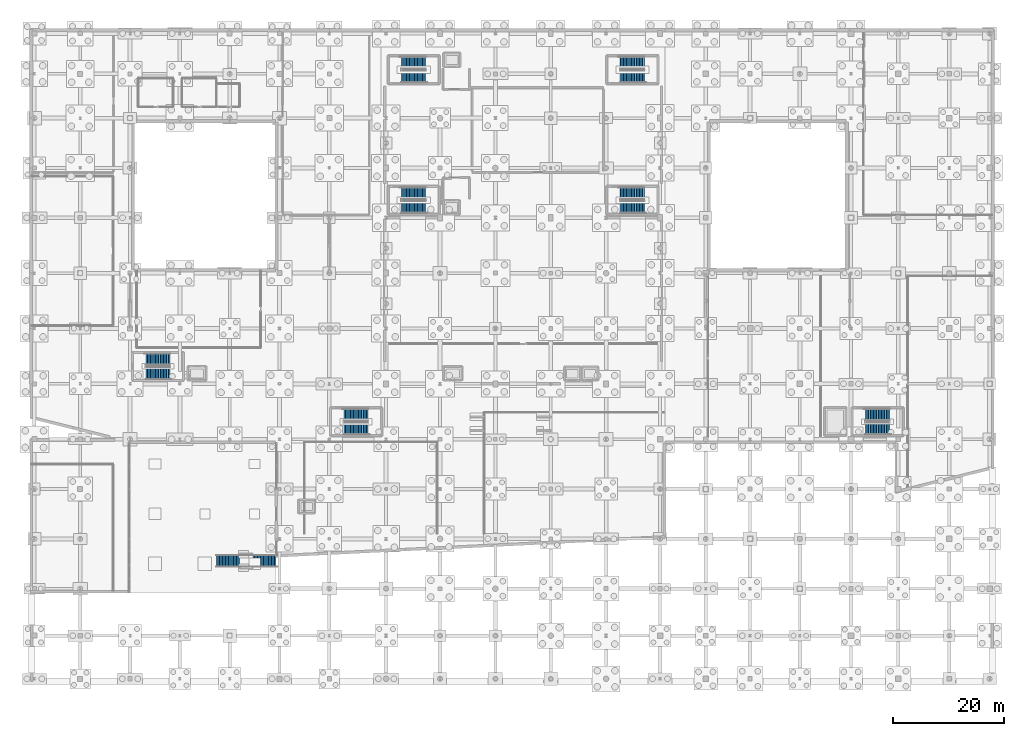
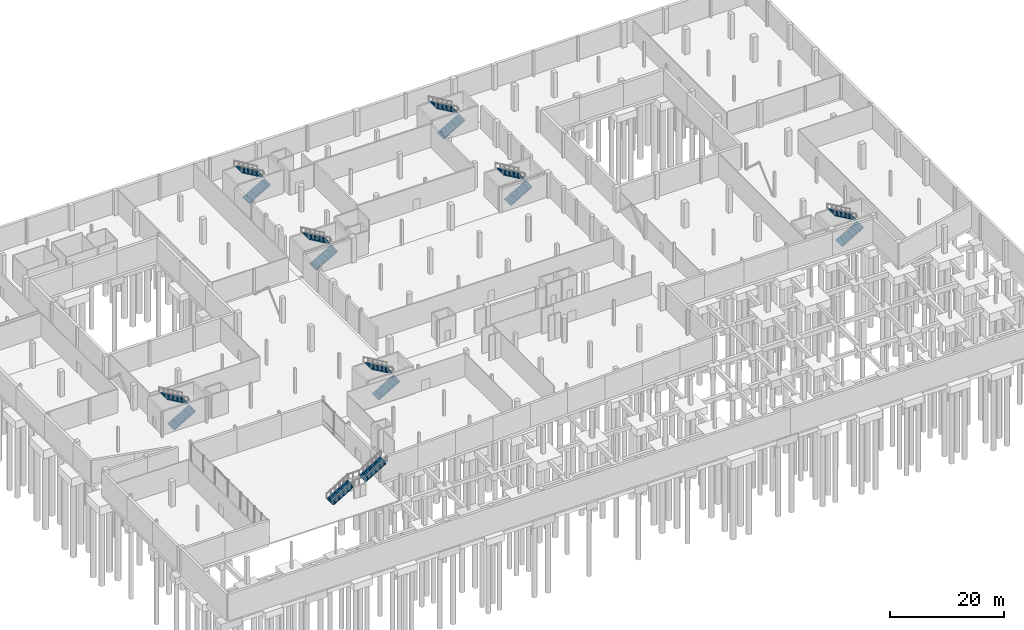
# One storey, part 51 of 60: 16 stair flights, 8 elements without a shape of their own.
"""IFC4 building model written with IfcOpenShell, lengths in metres."""

import ifcopenshell
import ifcopenshell.guid

model = None  # the IFC model being written
_history = None  # IfcOwnerHistory: only IFC2X3 demands one
_inside = {}  # id of a spatial element -> (the spatial element, [elements in it])
_under = {}  # id of a project, library or spatial element -> (it, [spatial elements below it])
_declared = {}  # id of a project -> (the project, [libraries it declares])
_typed = {}  # id of a type object -> (the type object, [elements of that type])
_made_of = {}  # id of a material, layer set ... -> (it, [elements and type objects made of it])


def new_model(schema):
    """Start an empty IFC model of exactly this schema.

    Asked for "IFC4X3", IfcOpenShell would pick the latest addendum, in which some entities
    have other attributes; the version numbers below select the first issue.
    IFC2X3 requires an IfcOwnerHistory on every rooted entity: one is made here for all.
    """
    global model, _history
    if schema == "IFC4X3":
        model = ifcopenshell.file(schema_version=(4, 3, 0, 0))
    else:
        model = ifcopenshell.file(schema=schema)
    _inside.clear()
    _under.clear()
    _declared.clear()
    _typed.clear()
    _made_of.clear()
    _history = None
    if model.schema == "IFC2X3":
        org = make("IfcOrganization", Name="unknown")
        user = make(
            "IfcPersonAndOrganization",
            ThePerson=make("IfcPerson", FamilyName="unknown"),
            TheOrganization=org,
        )
        app = make(
            "IfcApplication",
            ApplicationDeveloper=org,
            Version="unknown",
            ApplicationFullName="unknown",
            ApplicationIdentifier="unknown",
        )
        _history = make(
            "IfcOwnerHistory",
            OwningUser=user,
            OwningApplication=app,
            ChangeAction="ADDED",
            CreationDate=0,
        )
    return model


def make(cls, **values):
    """One entity of the class cls with the attributes given. An attribute that is None is left unset."""
    return model.create_entity(
        cls, **{name: value for name, value in values.items() if value is not None}
    )


def rooted(cls, **values):
    """An entity with a GlobalId (a new one), such as an element, a storey or a relation."""
    return make(cls, GlobalId=ifcopenshell.guid.new(), OwnerHistory=_history, **values)


def si_unit(unit_type, name, prefix=None):
    """IfcSIUnit, for example si_unit("LENGTHUNIT", "METRE", prefix="MILLI")."""
    return make("IfcSIUnit", UnitType=unit_type, Prefix=prefix, Name=name)


def assignment(units):
    """IfcUnitAssignment: the units of a project."""
    return None if units is None else make("IfcUnitAssignment", Units=units)


def point(xyz):
    """IfcCartesianPoint."""
    return None if xyz is None else make("IfcCartesianPoint", Coordinates=xyz)


def direction(xyz):
    """IfcDirection."""
    return None if xyz is None else make("IfcDirection", DirectionRatios=xyz)


def frame(location, z_axis=None, x_axis=None):
    """IfcAxis2Placement3D, a coordinate frame: its origin and axes. An axis left out is left unset."""
    return make(
        "IfcAxis2Placement3D",
        Location=point(location),
        Axis=direction(z_axis),
        RefDirection=direction(x_axis),
    )


def origin():
    """The frame at (0, 0, 0) with its axes left unset."""
    return frame((0.0, 0.0, 0.0))


def place(relative_to, where):
    """IfcLocalPlacement: puts the frame where relative to a parent placement (None: the world)."""
    return make(
        "IfcLocalPlacement", PlacementRelTo=relative_to, RelativePlacement=where
    )


def context(
    kind, dimensions, precision=None, world=None, true_north=None, identifier=None
):
    """IfcGeometricRepresentationContext, for example the 3D "Model" context."""
    return make(
        "IfcGeometricRepresentationContext",
        ContextIdentifier=identifier,
        ContextType=kind,
        CoordinateSpaceDimension=dimensions,
        Precision=precision,
        WorldCoordinateSystem=world,
        TrueNorth=true_north,
    )


def subcontext(parent, identifier, kind, view, scale=None):
    """IfcGeometricRepresentationSubContext, for example "Body" below "Model"."""
    return make(
        "IfcGeometricRepresentationSubContext",
        ContextIdentifier=identifier,
        ContextType=kind,
        ParentContext=parent,
        TargetScale=scale,
        TargetView=view,
    )


def project(units=None, contexts=None):
    """IfcProject with its units and contexts."""
    return rooted(
        "IfcProject",
        Name="project",
        RepresentationContexts=contexts,
        UnitsInContext=assignment(units),
    )


def spatial(cls, under=None, at=None, **own):
    """A site, building, storey or space (cls), placed at a placement, below another one or the project."""
    s = rooted(cls, ObjectPlacement=at, **own)
    if under is not None:
        _under.setdefault(under.id(), (under, []))[1].append(s)
    return s


def polyline(points):
    """IfcPolyline through the points."""
    return make("IfcPolyline", Points=[point(p) for p in points])


def outline(outer, holes=None, kind="AREA"):
    """IfcArbitraryClosedProfileDef: a profile drawn as a closed curve; with holes, ...WithVoids."""
    if holes is None:
        return make("IfcArbitraryClosedProfileDef", ProfileType=kind, OuterCurve=outer)
    return make(
        "IfcArbitraryProfileDefWithVoids",
        ProfileType=kind,
        OuterCurve=outer,
        InnerCurves=holes,
    )


def extrude(swept, where, along, depth):
    """IfcExtrudedAreaSolid: the profile swept, set in the frame where, extruded along a direction by depth."""
    return make(
        "IfcExtrudedAreaSolid",
        SweptArea=swept,
        Position=where,
        ExtrudedDirection=direction(along),
        Depth=depth,
    )


def shape(context_of_items, identifier, shape_type, items):
    """IfcShapeRepresentation: the items that make up one representation, for example the "Body"."""
    return make(
        "IfcShapeRepresentation",
        ContextOfItems=context_of_items,
        RepresentationIdentifier=identifier,
        RepresentationType=shape_type,
        Items=items,
    )


def material(Name=None, Category=None):
    """IfcMaterial."""
    return make("IfcMaterial", Name=Name, Category=Category)


def made_of(thing, what):
    """Note that an element or type object is made of a material, layer set ...; save() writes the relation."""
    if what is not None:
        _made_of.setdefault(what.id(), (what, []))[1].append(thing)
    return thing


def type_object(cls, material=None, **own):
    """A type object (cls), such as IfcWallType, which elements share."""
    return made_of(rooted(cls, **own), material)


def element(
    cls,
    number,
    at=None,
    inside=None,
    cuts=None,
    type_object=None,
    material=None,
    context=None,
    identifier="Body",
    shape_type=None,
    held_by="IfcProductDefinitionShape",
    body=None,
    shapes=None,
    **own,
):
    """One element of the class cls, such as IfcWall. Its Tag is "e" and its number.

    at: its placement. inside: the storey or other place that contains it. cuts: it is an
    opening in that element (IfcRelVoidsElement). A single representation is given by context,
    identifier, shape_type and body (its items); several are given by shapes. held_by: the class
    of the entity that holds the representations. save() writes the other relations.
    """
    e = rooted(cls, Tag="e%d" % number, ObjectPlacement=at, **own)
    if body is not None:
        shapes = [shape(context, identifier, shape_type, body)]
    if shapes is not None:
        e.Representation = make(held_by, Representations=shapes)
    if inside is not None:
        _inside.setdefault(inside.id(), (inside, []))[1].append(e)
    if cuts is not None:
        rooted(
            "IfcRelVoidsElement", RelatingBuildingElement=cuts, RelatedOpeningElement=e
        )
    if type_object is not None:
        _typed.setdefault(type_object.id(), (type_object, []))[1].append(e)
    return made_of(e, material)


def aggregate(whole, parts):
    """IfcRelAggregates: a whole, such as a stair, and the parts it consists of."""
    return rooted("IfcRelAggregates", RelatingObject=whole, RelatedObjects=parts)


def save(model, path):
    """Write the relations noted so far, then the file.

    IfcRelAggregates (storeys below a building ...), IfcRelContainedInSpatialStructure (elements
    in a storey), IfcRelDefinesByType, IfcRelAssociatesMaterial and IfcRelDeclares: one each for
    every whole, place, type object, material and project.
    """
    for whole, parts in _under.values():
        aggregate(whole, parts)
    for where, things in _inside.values():
        rooted(
            "IfcRelContainedInSpatialStructure",
            RelatedElements=things,
            RelatingStructure=where,
        )
    for kind, things in _typed.values():
        rooted("IfcRelDefinesByType", RelatedObjects=things, RelatingType=kind)
    for what, things in _made_of.values():
        rooted("IfcRelAssociatesMaterial", RelatedObjects=things, RelatingMaterial=what)
    for by, libraries in _declared.values():
        rooted("IfcRelDeclares", RelatingContext=by, RelatedDefinitions=libraries)
    model.write(path)


model = new_model("IFC4")

# Units and contexts
model_context = context("Model", 3, precision=1e-05, world=origin(), true_north=direction((0.0, 1.0)))
body_context = subcontext(model_context, "Body", "Model", "MODEL_VIEW")
ifc_project = project(units=[si_unit("LENGTHUNIT", "METRE"), si_unit("AREAUNIT", "SQUARE_METRE"), si_unit("VOLUMEUNIT", "CUBIC_METRE"), si_unit("PLANEANGLEUNIT", "RADIAN"), si_unit("MASSUNIT", "GRAM", prefix="KILO")], contexts=[model_context])

# Site, building, storey
site_placement = place(None, origin())
site = spatial("IfcSite", under=ifc_project, at=site_placement, CompositionType="ELEMENT")
building_placement = place(site_placement, origin())
building = spatial("IfcBuilding", under=site, at=building_placement, Name="Trimount Lyric Opera House", CompositionType="ELEMENT")
storey_placement = place(building_placement, frame((0.0, 0.0, -5.39990234375)))
storey = spatial("IfcBuildingStorey", under=building, at=storey_placement, Name="B1", CompositionType="ELEMENT", Elevation=-5.39990234375)

# Stair, stair flights
ifc_material_1 = material(Name="Concrete C40/50", Category="concrete")
stair_type_1 = type_object("IfcStairType", Name="STR-CORE-C", PredefinedType="TWO_QUARTER_TURN_STAIR", material=ifc_material_1)
stair_1_placement = place(storey_placement, origin())
stair_1 = element("IfcStair", 1, at=stair_1_placement, inside=storey, type_object=stair_type_1, Name="B1 Exit Stair ST-01", PredefinedType="TWO_QUARTER_TURN_STAIR")
ifc_material_2 = material(Name="Concrete C40/50", Category="concrete")
stair_flight_type_1 = type_object("IfcStairFlightType", Name="SFL-CORE-B", PredefinedType="STRAIGHT", material=ifc_material_2)
stair_flight_1_placement = place(storey_placement, frame((67.050048828125, 109.52490234375, 0.0), z_axis=(0.0, 0.0, 1.0), x_axis=(1.0, 0.0, 0.0)))
stair_flight_1 = element("IfcStairFlight", 2, at=stair_flight_1_placement, type_object=stair_flight_type_1, Name="ST-01 flight 1", NumberOfRisers=16, NumberOfTreads=15, PredefinedType="STRAIGHT", RiserHeight=0.16875, TreadLength=0.29, context=body_context, shape_type="SweptSolid", body=[
    extrude(outline(polyline([(0.0, 0.0), (0.0, 0.168701171875), (0.2900390625, 0.168701171875), (0.2900390625, 0.33740234375), (0.580078125, 0.33740234375), (0.580078125, 0.50634765625), (0.8701171875, 0.50634765625), (0.8701171875, 0.675048828125), (1.159912109375, 0.675048828125), (1.159912109375, 0.84375), (1.449951171875, 0.84375), (1.449951171875, 1.012451171875), (1.739990234375, 1.012451171875), (1.739990234375, 1.18115234375), (2.030029296875, 1.18115234375), (2.030029296875, 1.35009765625), (2.320068359375, 1.35009765625), (2.320068359375, 1.518798828125), (2.610107421875, 1.518798828125), (2.610107421875, 1.6875), (2.89990234375, 1.6875), (2.89990234375, 1.856201171875), (3.18994140625, 1.856201171875), (3.18994140625, 2.02490234375), (3.47998046875, 2.02490234375), (3.47998046875, 2.19384765625), (3.77001953125, 2.19384765625), (3.77001953125, 2.362548828125), (4.06005859375, 2.362548828125), (4.06005859375, 2.53125), (4.333984375, 2.53125), (4.35009765625, 2.699951171875), (4.35009765625, 2.35791015625), (0.298095703125, 0.0), (0.0, 0.0)])), frame((0.0, 1.125, 0.0), z_axis=(0.0, -1.0, 0.0), x_axis=(1.0, 0.0, 0.0)), (0.0, 0.0, 1.0), 2.25),
])
stair_flight_2_placement = place(storey_placement, frame((71.39990234375, 111.97509765625, 2.699951171875), z_axis=(0.0, 0.0, 1.0), x_axis=(-1.0, 0.0, 0.0)))
stair_flight_2 = element("IfcStairFlight", 3, at=stair_flight_2_placement, type_object=stair_flight_type_1, Name="ST-01 flight 2", NumberOfRisers=16, NumberOfTreads=15, PredefinedType="STRAIGHT", RiserHeight=0.16875, TreadLength=0.29, context=body_context, shape_type="SweptSolid", body=[
    extrude(outline(polyline([(0.0, 0.0), (0.0, 0.168701171875), (0.2900390625, 0.168701171875), (0.2900390625, 0.33740234375), (0.580078125, 0.33740234375), (0.580078125, 0.50634765625), (0.8701171875, 0.50634765625), (0.8701171875, 0.675048828125), (1.159912109375, 0.675048828125), (1.159912109375, 0.84375), (1.449951171875, 0.84375), (1.449951171875, 1.012451171875), (1.739990234375, 1.012451171875), (1.739990234375, 1.18115234375), (2.030029296875, 1.18115234375), (2.030029296875, 1.35009765625), (2.320068359375, 1.35009765625), (2.320068359375, 1.518798828125), (2.610107421875, 1.518798828125), (2.610107421875, 1.6875), (2.89990234375, 1.6875), (2.89990234375, 1.856201171875), (3.18994140625, 1.856201171875), (3.18994140625, 2.02490234375), (3.47998046875, 2.02490234375), (3.47998046875, 2.19384765625), (3.77001953125, 2.19384765625), (3.77001953125, 2.362548828125), (4.06005859375, 2.362548828125), (4.06005859375, 2.53125), (4.333984375, 2.53125), (4.35009765625, 2.699951171875), (4.35009765625, 2.35791015625), (0.298095703125, 0.0), (0.0, 0.0)])), frame((0.0, 1.125, 0.0), z_axis=(0.0, -1.0, 0.0), x_axis=(1.0, 0.0, 0.0)), (0.0, 0.0, 1.0), 2.25),
])
aggregate(stair_1, [stair_flight_1, stair_flight_2])

stair_2_placement = place(storey_placement, origin())
stair_2 = element("IfcStair", 4, at=stair_2_placement, inside=storey, type_object=stair_type_1, Name="B1 Exit Stair ST-02", PredefinedType="TWO_QUARTER_TURN_STAIR")
stair_flight_3_placement = place(storey_placement, frame((106.550048828125, 109.52490234375, 0.0), z_axis=(0.0, 0.0, 1.0), x_axis=(1.0, 0.0, 0.0)))
stair_flight_3 = element("IfcStairFlight", 5, at=stair_flight_3_placement, type_object=stair_flight_type_1, Name="ST-02 flight 1", NumberOfRisers=16, NumberOfTreads=15, PredefinedType="STRAIGHT", RiserHeight=0.16875, TreadLength=0.29, context=body_context, shape_type="SweptSolid", body=[
    extrude(outline(polyline([(0.0, 0.0), (0.0, 0.168701171875), (0.2900390625, 0.168701171875), (0.2900390625, 0.33740234375), (0.580078125, 0.33740234375), (0.580078125, 0.50634765625), (0.8701171875, 0.50634765625), (0.8701171875, 0.675048828125), (1.159912109375, 0.675048828125), (1.159912109375, 0.84375), (1.449951171875, 0.84375), (1.449951171875, 1.012451171875), (1.739990234375, 1.012451171875), (1.739990234375, 1.18115234375), (2.030029296875, 1.18115234375), (2.030029296875, 1.35009765625), (2.320068359375, 1.35009765625), (2.320068359375, 1.518798828125), (2.610107421875, 1.518798828125), (2.610107421875, 1.6875), (2.89990234375, 1.6875), (2.89990234375, 1.856201171875), (3.18994140625, 1.856201171875), (3.18994140625, 2.02490234375), (3.47998046875, 2.02490234375), (3.47998046875, 2.19384765625), (3.77001953125, 2.19384765625), (3.77001953125, 2.362548828125), (4.06005859375, 2.362548828125), (4.06005859375, 2.53125), (4.333984375, 2.53125), (4.35009765625, 2.699951171875), (4.35009765625, 2.35791015625), (0.298095703125, 0.0), (0.0, 0.0)])), frame((0.0, 1.125, 0.0), z_axis=(0.0, -1.0, 0.0), x_axis=(1.0, 0.0, 0.0)), (0.0, 0.0, 1.0), 2.25),
])
stair_flight_4_placement = place(storey_placement, frame((110.89990234375, 111.97509765625, 2.699951171875), z_axis=(0.0, 0.0, 1.0), x_axis=(-1.0, 0.0, 0.0)))
stair_flight_4 = element("IfcStairFlight", 6, at=stair_flight_4_placement, type_object=stair_flight_type_1, Name="ST-02 flight 2", NumberOfRisers=16, NumberOfTreads=15, PredefinedType="STRAIGHT", RiserHeight=0.16875, TreadLength=0.29, context=body_context, shape_type="SweptSolid", body=[
    extrude(outline(polyline([(0.0, 0.0), (0.0, 0.168701171875), (0.2900390625, 0.168701171875), (0.2900390625, 0.33740234375), (0.580078125, 0.33740234375), (0.580078125, 0.50634765625), (0.8701171875, 0.50634765625), (0.8701171875, 0.675048828125), (1.159912109375, 0.675048828125), (1.159912109375, 0.84375), (1.449951171875, 0.84375), (1.449951171875, 1.012451171875), (1.739990234375, 1.012451171875), (1.739990234375, 1.18115234375), (2.030029296875, 1.18115234375), (2.030029296875, 1.35009765625), (2.320068359375, 1.35009765625), (2.320068359375, 1.518798828125), (2.610107421875, 1.518798828125), (2.610107421875, 1.6875), (2.89990234375, 1.6875), (2.89990234375, 1.856201171875), (3.18994140625, 1.856201171875), (3.18994140625, 2.02490234375), (3.47998046875, 2.02490234375), (3.47998046875, 2.19384765625), (3.77001953125, 2.19384765625), (3.77001953125, 2.362548828125), (4.06005859375, 2.362548828125), (4.06005859375, 2.53125), (4.333984375, 2.53125), (4.35009765625, 2.699951171875), (4.35009765625, 2.35791015625), (0.298095703125, 0.0), (0.0, 0.0)])), frame((0.0, 1.125, 0.0), z_axis=(0.0, -1.0, 0.0), x_axis=(1.0, 0.0, 0.0)), (0.0, 0.0, 1.0), 2.25),
])
aggregate(stair_2, [stair_flight_3, stair_flight_4])

stair_3_placement = place(storey_placement, origin())
stair_3 = element("IfcStair", 7, at=stair_3_placement, inside=storey, type_object=stair_type_1, Name="B1 Exit Stair ST-03", PredefinedType="TWO_QUARTER_TURN_STAIR")
stair_flight_5_placement = place(storey_placement, frame((67.050048828125, 85.925048828125, 0.0), z_axis=(0.0, 0.0, 1.0), x_axis=(1.0, 0.0, 0.0)))
stair_flight_5 = element("IfcStairFlight", 8, at=stair_flight_5_placement, type_object=stair_flight_type_1, Name="ST-03 flight 1", NumberOfRisers=16, NumberOfTreads=15, PredefinedType="STRAIGHT", RiserHeight=0.16875, TreadLength=0.29, context=body_context, shape_type="SweptSolid", body=[
    extrude(outline(polyline([(0.0, 0.0), (0.0, 0.168701171875), (0.2900390625, 0.168701171875), (0.2900390625, 0.33740234375), (0.580078125, 0.33740234375), (0.580078125, 0.50634765625), (0.8701171875, 0.50634765625), (0.8701171875, 0.675048828125), (1.159912109375, 0.675048828125), (1.159912109375, 0.84375), (1.449951171875, 0.84375), (1.449951171875, 1.012451171875), (1.739990234375, 1.012451171875), (1.739990234375, 1.18115234375), (2.030029296875, 1.18115234375), (2.030029296875, 1.35009765625), (2.320068359375, 1.35009765625), (2.320068359375, 1.518798828125), (2.610107421875, 1.518798828125), (2.610107421875, 1.6875), (2.89990234375, 1.6875), (2.89990234375, 1.856201171875), (3.18994140625, 1.856201171875), (3.18994140625, 2.02490234375), (3.47998046875, 2.02490234375), (3.47998046875, 2.19384765625), (3.77001953125, 2.19384765625), (3.77001953125, 2.362548828125), (4.06005859375, 2.362548828125), (4.06005859375, 2.53125), (4.333984375, 2.53125), (4.35009765625, 2.699951171875), (4.35009765625, 2.35791015625), (0.298095703125, 0.0), (0.0, 0.0)])), frame((0.0, 1.125, 0.0), z_axis=(0.0, -1.0, 0.0), x_axis=(1.0, 0.0, 0.0)), (0.0, 0.0, 1.0), 2.25),
])
stair_flight_6_placement = place(storey_placement, frame((71.39990234375, 88.375, 2.699951171875), z_axis=(0.0, 0.0, 1.0), x_axis=(-1.0, 0.0, 0.0)))
stair_flight_6 = element("IfcStairFlight", 9, at=stair_flight_6_placement, type_object=stair_flight_type_1, Name="ST-03 flight 2", NumberOfRisers=16, NumberOfTreads=15, PredefinedType="STRAIGHT", RiserHeight=0.16875, TreadLength=0.29, context=body_context, shape_type="SweptSolid", body=[
    extrude(outline(polyline([(0.0, 0.0), (0.0, 0.168701171875), (0.2900390625, 0.168701171875), (0.2900390625, 0.33740234375), (0.580078125, 0.33740234375), (0.580078125, 0.50634765625), (0.8701171875, 0.50634765625), (0.8701171875, 0.675048828125), (1.159912109375, 0.675048828125), (1.159912109375, 0.84375), (1.449951171875, 0.84375), (1.449951171875, 1.012451171875), (1.739990234375, 1.012451171875), (1.739990234375, 1.18115234375), (2.030029296875, 1.18115234375), (2.030029296875, 1.35009765625), (2.320068359375, 1.35009765625), (2.320068359375, 1.518798828125), (2.610107421875, 1.518798828125), (2.610107421875, 1.6875), (2.89990234375, 1.6875), (2.89990234375, 1.856201171875), (3.18994140625, 1.856201171875), (3.18994140625, 2.02490234375), (3.47998046875, 2.02490234375), (3.47998046875, 2.19384765625), (3.77001953125, 2.19384765625), (3.77001953125, 2.362548828125), (4.06005859375, 2.362548828125), (4.06005859375, 2.53125), (4.333984375, 2.53125), (4.35009765625, 2.699951171875), (4.35009765625, 2.35791015625), (0.298095703125, 0.0), (0.0, 0.0)])), frame((0.0, 1.125, 0.0), z_axis=(0.0, -1.0, 0.0), x_axis=(1.0, 0.0, 0.0)), (0.0, 0.0, 1.0), 2.25),
])
aggregate(stair_3, [stair_flight_5, stair_flight_6])

stair_4_placement = place(storey_placement, origin())
stair_4 = element("IfcStair", 10, at=stair_4_placement, inside=storey, type_object=stair_type_1, Name="B1 Exit Stair ST-04", PredefinedType="TWO_QUARTER_TURN_STAIR")
stair_flight_7_placement = place(storey_placement, frame((106.550048828125, 85.925048828125, 0.0), z_axis=(0.0, 0.0, 1.0), x_axis=(1.0, 0.0, 0.0)))
stair_flight_7 = element("IfcStairFlight", 11, at=stair_flight_7_placement, type_object=stair_flight_type_1, Name="ST-04 flight 1", NumberOfRisers=16, NumberOfTreads=15, PredefinedType="STRAIGHT", RiserHeight=0.16875, TreadLength=0.29, context=body_context, shape_type="SweptSolid", body=[
    extrude(outline(polyline([(0.0, 0.0), (0.0, 0.168701171875), (0.2900390625, 0.168701171875), (0.2900390625, 0.33740234375), (0.580078125, 0.33740234375), (0.580078125, 0.50634765625), (0.8701171875, 0.50634765625), (0.8701171875, 0.675048828125), (1.159912109375, 0.675048828125), (1.159912109375, 0.84375), (1.449951171875, 0.84375), (1.449951171875, 1.012451171875), (1.739990234375, 1.012451171875), (1.739990234375, 1.18115234375), (2.030029296875, 1.18115234375), (2.030029296875, 1.35009765625), (2.320068359375, 1.35009765625), (2.320068359375, 1.518798828125), (2.610107421875, 1.518798828125), (2.610107421875, 1.6875), (2.89990234375, 1.6875), (2.89990234375, 1.856201171875), (3.18994140625, 1.856201171875), (3.18994140625, 2.02490234375), (3.47998046875, 2.02490234375), (3.47998046875, 2.19384765625), (3.77001953125, 2.19384765625), (3.77001953125, 2.362548828125), (4.06005859375, 2.362548828125), (4.06005859375, 2.53125), (4.333984375, 2.53125), (4.35009765625, 2.699951171875), (4.35009765625, 2.35791015625), (0.298095703125, 0.0), (0.0, 0.0)])), frame((0.0, 1.125, 0.0), z_axis=(0.0, -1.0, 0.0), x_axis=(1.0, 0.0, 0.0)), (0.0, 0.0, 1.0), 2.25),
])
stair_flight_8_placement = place(storey_placement, frame((110.89990234375, 88.375, 2.699951171875), z_axis=(0.0, 0.0, 1.0), x_axis=(-1.0, 0.0, 0.0)))
stair_flight_8 = element("IfcStairFlight", 12, at=stair_flight_8_placement, type_object=stair_flight_type_1, Name="ST-04 flight 2", NumberOfRisers=16, NumberOfTreads=15, PredefinedType="STRAIGHT", RiserHeight=0.16875, TreadLength=0.29, context=body_context, shape_type="SweptSolid", body=[
    extrude(outline(polyline([(0.0, 0.0), (0.0, 0.168701171875), (0.2900390625, 0.168701171875), (0.2900390625, 0.33740234375), (0.580078125, 0.33740234375), (0.580078125, 0.50634765625), (0.8701171875, 0.50634765625), (0.8701171875, 0.675048828125), (1.159912109375, 0.675048828125), (1.159912109375, 0.84375), (1.449951171875, 0.84375), (1.449951171875, 1.012451171875), (1.739990234375, 1.012451171875), (1.739990234375, 1.18115234375), (2.030029296875, 1.18115234375), (2.030029296875, 1.35009765625), (2.320068359375, 1.35009765625), (2.320068359375, 1.518798828125), (2.610107421875, 1.518798828125), (2.610107421875, 1.6875), (2.89990234375, 1.6875), (2.89990234375, 1.856201171875), (3.18994140625, 1.856201171875), (3.18994140625, 2.02490234375), (3.47998046875, 2.02490234375), (3.47998046875, 2.19384765625), (3.77001953125, 2.19384765625), (3.77001953125, 2.362548828125), (4.06005859375, 2.362548828125), (4.06005859375, 2.53125), (4.333984375, 2.53125), (4.35009765625, 2.699951171875), (4.35009765625, 2.35791015625), (0.298095703125, 0.0), (0.0, 0.0)])), frame((0.0, 1.125, 0.0), z_axis=(0.0, -1.0, 0.0), x_axis=(1.0, 0.0, 0.0)), (0.0, 0.0, 1.0), 2.25),
])
aggregate(stair_4, [stair_flight_7, stair_flight_8])

stair_5_placement = place(storey_placement, origin())
stair_5 = element("IfcStair", 13, at=stair_5_placement, inside=storey, type_object=stair_type_1, Name="B1 Exit Stair ST-05", PredefinedType="TWO_QUARTER_TURN_STAIR")
stair_flight_9_placement = place(storey_placement, frame((150.85009765625, 45.925048828125, 0.0), z_axis=(0.0, 0.0, 1.0), x_axis=(1.0, 0.0, 0.0)))
stair_flight_9 = element("IfcStairFlight", 14, at=stair_flight_9_placement, type_object=stair_flight_type_1, Name="ST-05 flight 1", NumberOfRisers=16, NumberOfTreads=15, PredefinedType="STRAIGHT", RiserHeight=0.16875, TreadLength=0.29, context=body_context, shape_type="SweptSolid", body=[
    extrude(outline(polyline([(0.0, 0.0), (0.0, 0.168701171875), (0.2900390625, 0.168701171875), (0.2900390625, 0.33740234375), (0.580078125, 0.33740234375), (0.580078125, 0.50634765625), (0.8701171875, 0.50634765625), (0.8701171875, 0.675048828125), (1.159912109375, 0.675048828125), (1.159912109375, 0.84375), (1.449951171875, 0.84375), (1.449951171875, 1.012451171875), (1.739990234375, 1.012451171875), (1.739990234375, 1.18115234375), (2.030029296875, 1.18115234375), (2.030029296875, 1.35009765625), (2.320068359375, 1.35009765625), (2.320068359375, 1.518798828125), (2.610107421875, 1.518798828125), (2.610107421875, 1.6875), (2.89990234375, 1.6875), (2.89990234375, 1.856201171875), (3.18994140625, 1.856201171875), (3.18994140625, 2.02490234375), (3.47998046875, 2.02490234375), (3.47998046875, 2.19384765625), (3.77001953125, 2.19384765625), (3.77001953125, 2.362548828125), (4.06005859375, 2.362548828125), (4.06005859375, 2.53125), (4.333984375, 2.53125), (4.35009765625, 2.699951171875), (4.35009765625, 2.35791015625), (0.298095703125, 0.0), (0.0, 0.0)])), frame((0.0, 1.125, 0.0), z_axis=(0.0, -1.0, 0.0), x_axis=(1.0, 0.0, 0.0)), (0.0, 0.0, 1.0), 2.25),
])
stair_flight_10_placement = place(storey_placement, frame((155.199951171875, 48.375, 2.699951171875), z_axis=(0.0, 0.0, 1.0), x_axis=(-1.0, 0.0, 0.0)))
stair_flight_10 = element("IfcStairFlight", 15, at=stair_flight_10_placement, type_object=stair_flight_type_1, Name="ST-05 flight 2", NumberOfRisers=16, NumberOfTreads=15, PredefinedType="STRAIGHT", RiserHeight=0.16875, TreadLength=0.29, context=body_context, shape_type="SweptSolid", body=[
    extrude(outline(polyline([(0.0, 0.0), (0.0, 0.168701171875), (0.2900390625, 0.168701171875), (0.2900390625, 0.33740234375), (0.580078125, 0.33740234375), (0.580078125, 0.50634765625), (0.8701171875, 0.50634765625), (0.8701171875, 0.675048828125), (1.159912109375, 0.675048828125), (1.159912109375, 0.84375), (1.449951171875, 0.84375), (1.449951171875, 1.012451171875), (1.739990234375, 1.012451171875), (1.739990234375, 1.18115234375), (2.030029296875, 1.18115234375), (2.030029296875, 1.35009765625), (2.320068359375, 1.35009765625), (2.320068359375, 1.518798828125), (2.610107421875, 1.518798828125), (2.610107421875, 1.6875), (2.89990234375, 1.6875), (2.89990234375, 1.856201171875), (3.18994140625, 1.856201171875), (3.18994140625, 2.02490234375), (3.47998046875, 2.02490234375), (3.47998046875, 2.19384765625), (3.77001953125, 2.19384765625), (3.77001953125, 2.362548828125), (4.06005859375, 2.362548828125), (4.06005859375, 2.53125), (4.333984375, 2.53125), (4.35009765625, 2.699951171875), (4.35009765625, 2.35791015625), (0.298095703125, 0.0), (0.0, 0.0)])), frame((0.0, 1.125, 0.0), z_axis=(0.0, -1.0, 0.0), x_axis=(1.0, 0.0, 0.0)), (0.0, 0.0, 1.0), 2.25),
])
aggregate(stair_5, [stair_flight_9, stair_flight_10])

stair_6_placement = place(storey_placement, origin())
stair_6 = element("IfcStair", 16, at=stair_6_placement, inside=storey, type_object=stair_type_1, Name="B1 Exit Stair ST-06", PredefinedType="TWO_QUARTER_TURN_STAIR")
stair_flight_11_placement = place(storey_placement, frame((20.85009765625, 55.925048828125, 0.0), z_axis=(0.0, 0.0, 1.0), x_axis=(1.0, 0.0, 0.0)))
stair_flight_11 = element("IfcStairFlight", 17, at=stair_flight_11_placement, type_object=stair_flight_type_1, Name="ST-06 flight 1", NumberOfRisers=16, NumberOfTreads=15, PredefinedType="STRAIGHT", RiserHeight=0.16875, TreadLength=0.29, context=body_context, shape_type="SweptSolid", body=[
    extrude(outline(polyline([(0.0, 0.0), (0.0, 0.168701171875), (0.2900390625, 0.168701171875), (0.2900390625, 0.33740234375), (0.580078125, 0.33740234375), (0.580078125, 0.50634765625), (0.8701171875, 0.50634765625), (0.8701171875, 0.675048828125), (1.159912109375, 0.675048828125), (1.159912109375, 0.84375), (1.449951171875, 0.84375), (1.449951171875, 1.012451171875), (1.739990234375, 1.012451171875), (1.739990234375, 1.18115234375), (2.030029296875, 1.18115234375), (2.030029296875, 1.35009765625), (2.320068359375, 1.35009765625), (2.320068359375, 1.518798828125), (2.610107421875, 1.518798828125), (2.610107421875, 1.6875), (2.89990234375, 1.6875), (2.89990234375, 1.856201171875), (3.18994140625, 1.856201171875), (3.18994140625, 2.02490234375), (3.47998046875, 2.02490234375), (3.47998046875, 2.19384765625), (3.77001953125, 2.19384765625), (3.77001953125, 2.362548828125), (4.06005859375, 2.362548828125), (4.06005859375, 2.53125), (4.333984375, 2.53125), (4.35009765625, 2.699951171875), (4.35009765625, 2.35791015625), (0.298095703125, 0.0), (0.0, 0.0)])), frame((0.0, 1.125, 0.0), z_axis=(0.0, -1.0, 0.0), x_axis=(1.0, 0.0, 0.0)), (0.0, 0.0, 1.0), 2.25),
])
stair_flight_12_placement = place(storey_placement, frame((25.199951171875, 58.375, 2.699951171875), z_axis=(0.0, 0.0, 1.0), x_axis=(-1.0, 0.0, 0.0)))
stair_flight_12 = element("IfcStairFlight", 18, at=stair_flight_12_placement, type_object=stair_flight_type_1, Name="ST-06 flight 2", NumberOfRisers=16, NumberOfTreads=15, PredefinedType="STRAIGHT", RiserHeight=0.16875, TreadLength=0.29, context=body_context, shape_type="SweptSolid", body=[
    extrude(outline(polyline([(0.0, 0.0), (0.0, 0.168701171875), (0.2900390625, 0.168701171875), (0.2900390625, 0.33740234375), (0.580078125, 0.33740234375), (0.580078125, 0.50634765625), (0.8701171875, 0.50634765625), (0.8701171875, 0.675048828125), (1.159912109375, 0.675048828125), (1.159912109375, 0.84375), (1.449951171875, 0.84375), (1.449951171875, 1.012451171875), (1.739990234375, 1.012451171875), (1.739990234375, 1.18115234375), (2.030029296875, 1.18115234375), (2.030029296875, 1.35009765625), (2.320068359375, 1.35009765625), (2.320068359375, 1.518798828125), (2.610107421875, 1.518798828125), (2.610107421875, 1.6875), (2.89990234375, 1.6875), (2.89990234375, 1.856201171875), (3.18994140625, 1.856201171875), (3.18994140625, 2.02490234375), (3.47998046875, 2.02490234375), (3.47998046875, 2.19384765625), (3.77001953125, 2.19384765625), (3.77001953125, 2.362548828125), (4.06005859375, 2.362548828125), (4.06005859375, 2.53125), (4.333984375, 2.53125), (4.35009765625, 2.699951171875), (4.35009765625, 2.35791015625), (0.298095703125, 0.0), (0.0, 0.0)])), frame((0.0, 1.125, 0.0), z_axis=(0.0, -1.0, 0.0), x_axis=(1.0, 0.0, 0.0)), (0.0, 0.0, 1.0), 2.25),
])
aggregate(stair_6, [stair_flight_11, stair_flight_12])

stair_7_placement = place(storey_placement, origin())
stair_7 = element("IfcStair", 19, at=stair_7_placement, inside=storey, type_object=stair_type_1, Name="B1 Exit Stair ST-07", PredefinedType="TWO_QUARTER_TURN_STAIR")
stair_flight_13_placement = place(storey_placement, frame((56.64990234375, 45.925048828125, 0.0), z_axis=(0.0, 0.0, 1.0), x_axis=(1.0, 0.0, 0.0)))
stair_flight_13 = element("IfcStairFlight", 20, at=stair_flight_13_placement, type_object=stair_flight_type_1, Name="ST-07 flight 1", NumberOfRisers=16, NumberOfTreads=15, PredefinedType="STRAIGHT", RiserHeight=0.16875, TreadLength=0.29, context=body_context, shape_type="SweptSolid", body=[
    extrude(outline(polyline([(0.0, 0.0), (0.0, 0.168701171875), (0.2900390625, 0.168701171875), (0.2900390625, 0.33740234375), (0.580078125, 0.33740234375), (0.580078125, 0.50634765625), (0.8701171875, 0.50634765625), (0.8701171875, 0.675048828125), (1.159912109375, 0.675048828125), (1.159912109375, 0.84375), (1.449951171875, 0.84375), (1.449951171875, 1.012451171875), (1.739990234375, 1.012451171875), (1.739990234375, 1.18115234375), (2.030029296875, 1.18115234375), (2.030029296875, 1.35009765625), (2.320068359375, 1.35009765625), (2.320068359375, 1.518798828125), (2.610107421875, 1.518798828125), (2.610107421875, 1.6875), (2.89990234375, 1.6875), (2.89990234375, 1.856201171875), (3.18994140625, 1.856201171875), (3.18994140625, 2.02490234375), (3.47998046875, 2.02490234375), (3.47998046875, 2.19384765625), (3.77001953125, 2.19384765625), (3.77001953125, 2.362548828125), (4.06005859375, 2.362548828125), (4.06005859375, 2.53125), (4.333984375, 2.53125), (4.35009765625, 2.699951171875), (4.35009765625, 2.35791015625), (0.298095703125, 0.0), (0.0, 0.0)])), frame((0.0, 1.125, 0.0), z_axis=(0.0, -1.0, 0.0), x_axis=(1.0, 0.0, 0.0)), (0.0, 0.0, 1.0), 2.25),
])
stair_flight_14_placement = place(storey_placement, frame((61.0, 48.375, 2.699951171875), z_axis=(0.0, 0.0, 1.0), x_axis=(-1.0, 0.0, 0.0)))
stair_flight_14 = element("IfcStairFlight", 21, at=stair_flight_14_placement, type_object=stair_flight_type_1, Name="ST-07 flight 2", NumberOfRisers=16, NumberOfTreads=15, PredefinedType="STRAIGHT", RiserHeight=0.16875, TreadLength=0.29, context=body_context, shape_type="SweptSolid", body=[
    extrude(outline(polyline([(0.0, 0.0), (0.0, 0.168701171875), (0.2900390625, 0.168701171875), (0.2900390625, 0.33740234375), (0.580078125, 0.33740234375), (0.580078125, 0.50634765625), (0.8701171875, 0.50634765625), (0.8701171875, 0.675048828125), (1.159912109375, 0.675048828125), (1.159912109375, 0.84375), (1.449951171875, 0.84375), (1.449951171875, 1.012451171875), (1.739990234375, 1.012451171875), (1.739990234375, 1.18115234375), (2.030029296875, 1.18115234375), (2.030029296875, 1.35009765625), (2.320068359375, 1.35009765625), (2.320068359375, 1.518798828125), (2.610107421875, 1.518798828125), (2.610107421875, 1.6875), (2.89990234375, 1.6875), (2.89990234375, 1.856201171875), (3.18994140625, 1.856201171875), (3.18994140625, 2.02490234375), (3.47998046875, 2.02490234375), (3.47998046875, 2.19384765625), (3.77001953125, 2.19384765625), (3.77001953125, 2.362548828125), (4.06005859375, 2.362548828125), (4.06005859375, 2.53125), (4.333984375, 2.53125), (4.35009765625, 2.699951171875), (4.35009765625, 2.35791015625), (0.298095703125, 0.0), (0.0, 0.0)])), frame((0.0, 1.125, 0.0), z_axis=(0.0, -1.0, 0.0), x_axis=(1.0, 0.0, 0.0)), (0.0, 0.0, 1.0), 2.25),
])
aggregate(stair_7, [stair_flight_13, stair_flight_14])

ifc_material_3 = material(Name="Steel ASTM A36", Category="steel")
stair_type_2 = type_object("IfcStairType", Name="STR-FOY-1", PredefinedType="STRAIGHT_RUN_STAIR", material=ifc_material_3)
stair_8_placement = place(storey_placement, origin())
stair_8 = element("IfcStair", 22, at=stair_8_placement, inside=storey, type_object=stair_type_2, Name="Sunken Metro Forecourt Grand Stair", PredefinedType="STRAIGHT_RUN_STAIR")
ifc_material_4 = material(Name="Steel ASTM A36", Category="steel")
stair_flight_type_2 = type_object("IfcStairFlightType", Name="SFL-FOY-1", PredefinedType="STRAIGHT", material=ifc_material_4)
stair_flight_15_placement = place(storey_placement, frame((33.580078125, 22.0, 0.0), z_axis=(0.0, 0.0, 1.0), x_axis=(1.0, 0.0, 0.0)))
stair_flight_15 = element("IfcStairFlight", 23, at=stair_flight_15_placement, type_object=stair_flight_type_2, Name="FS-01 flight 1", NumberOfRisers=16, NumberOfTreads=15, PredefinedType="STRAIGHT", RiserHeight=0.16875, TreadLength=0.28, context=body_context, shape_type="SweptSolid", body=[
    extrude(outline(polyline([(0.0, 0.0), (0.0, 0.168701171875), (0.280029296875, 0.168701171875), (0.280029296875, 0.33740234375), (0.56005859375, 0.33740234375), (0.56005859375, 0.50634765625), (0.840087890625, 0.50634765625), (0.840087890625, 0.675048828125), (1.1201171875, 0.675048828125), (1.1201171875, 0.84375), (1.39990234375, 0.84375), (1.39990234375, 1.012451171875), (1.679931640625, 1.012451171875), (1.679931640625, 1.18115234375), (1.9599609375, 1.18115234375), (1.9599609375, 1.35009765625), (2.239990234375, 1.35009765625), (2.239990234375, 1.518798828125), (2.52001953125, 1.518798828125), (2.52001953125, 1.6875), (2.800048828125, 1.6875), (2.800048828125, 1.856201171875), (3.080078125, 1.856201171875), (3.080078125, 2.02490234375), (3.360107421875, 2.02490234375), (3.360107421875, 2.19384765625), (3.639892578125, 2.19384765625), (3.639892578125, 2.362548828125), (3.919921875, 2.362548828125), (3.919921875, 2.53125), (4.183837890625, 2.53125), (4.199951171875, 2.699951171875), (4.199951171875, 2.332763671875), (0.3291015625, 0.0), (0.0, 0.0)])), frame((0.0, 1.10009765625, 0.0), z_axis=(0.0, -1.0, 0.0), x_axis=(1.0, 0.0, 0.0)), (0.0, 0.0, 1.0), 2.199951171875),
])
stair_flight_16_placement = place(storey_placement, frame((40.179931640625, 22.0, 2.699951171875), z_axis=(0.0, 0.0, 1.0), x_axis=(1.0, 0.0, 0.0)))
stair_flight_16 = element("IfcStairFlight", 24, at=stair_flight_16_placement, type_object=stair_flight_type_2, Name="FS-01 flight 2", NumberOfRisers=16, NumberOfTreads=15, PredefinedType="STRAIGHT", RiserHeight=0.16875, TreadLength=0.28, context=body_context, shape_type="SweptSolid", body=[
    extrude(outline(polyline([(0.0, 0.0), (0.0, 0.168701171875), (0.280029296875, 0.168701171875), (0.280029296875, 0.33740234375), (0.56005859375, 0.33740234375), (0.56005859375, 0.50634765625), (0.840087890625, 0.50634765625), (0.840087890625, 0.675048828125), (1.1201171875, 0.675048828125), (1.1201171875, 0.84375), (1.39990234375, 0.84375), (1.39990234375, 1.012451171875), (1.679931640625, 1.012451171875), (1.679931640625, 1.18115234375), (1.9599609375, 1.18115234375), (1.9599609375, 1.35009765625), (2.239990234375, 1.35009765625), (2.239990234375, 1.518798828125), (2.52001953125, 1.518798828125), (2.52001953125, 1.6875), (2.800048828125, 1.6875), (2.800048828125, 1.856201171875), (3.080078125, 1.856201171875), (3.080078125, 2.02490234375), (3.360107421875, 2.02490234375), (3.360107421875, 2.19384765625), (3.639892578125, 2.19384765625), (3.639892578125, 2.362548828125), (3.919921875, 2.362548828125), (3.919921875, 2.53125), (4.183837890625, 2.53125), (4.199951171875, 2.699951171875), (4.199951171875, 2.332763671875), (0.3291015625, 0.0), (0.0, 0.0)])), frame((0.0, 1.10009765625, 0.0), z_axis=(0.0, -1.0, 0.0), x_axis=(1.0, 0.0, 0.0)), (0.0, 0.0, 1.0), 2.199951171875),
])
aggregate(stair_8, [stair_flight_15, stair_flight_16])

save(model, "model.ifc")
